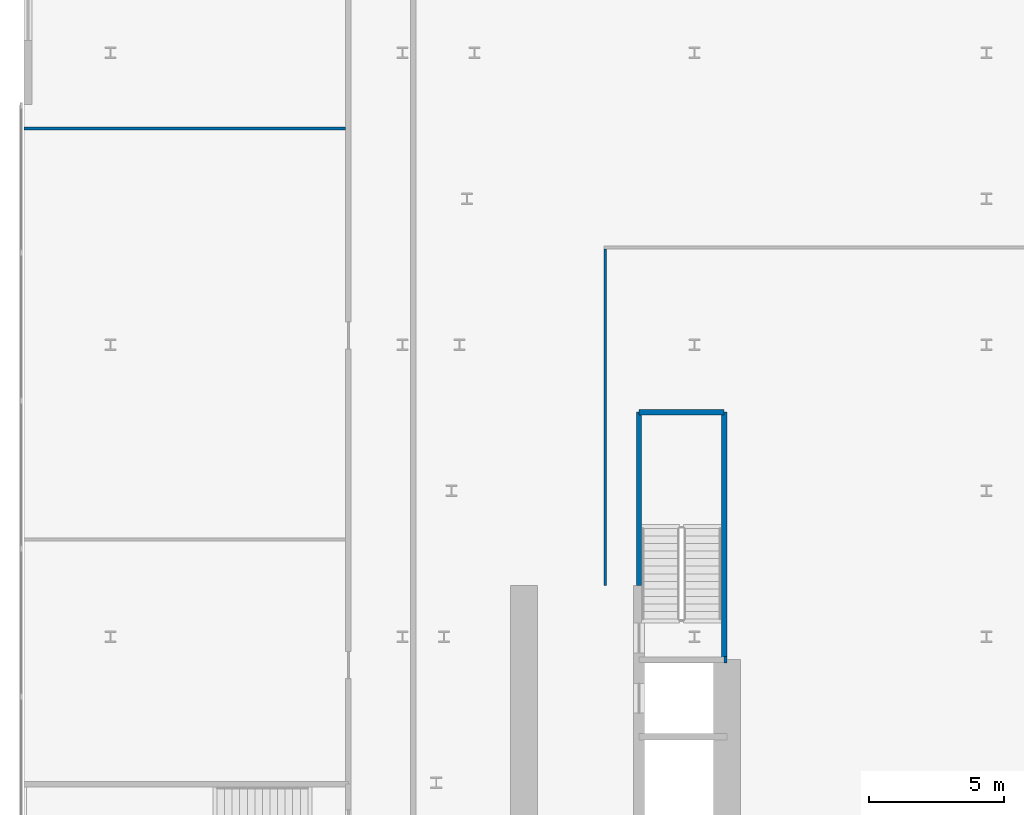
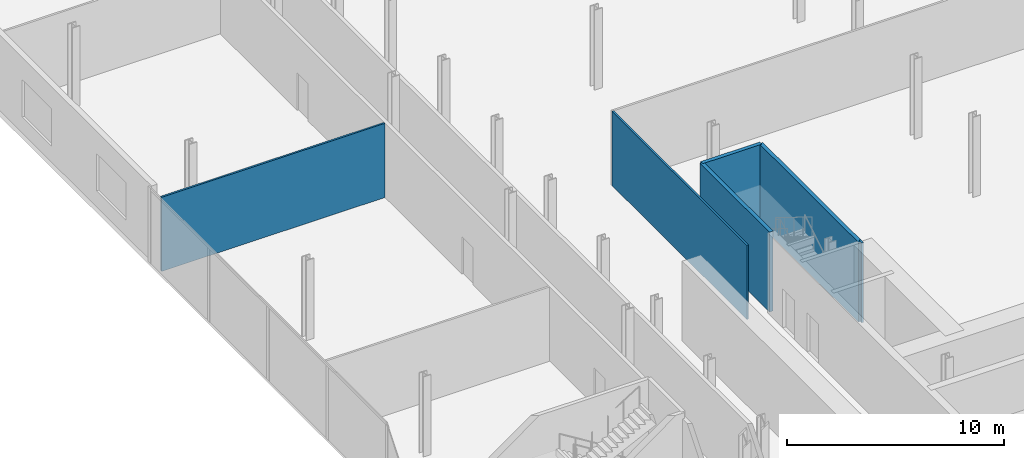
# One storey, part 30 of 47: 6 walls.
"""IFC4 building model written with IfcOpenShell, lengths in metres."""

from ifc_helpers import new_model, si_unit, direction, frame, frame_2d, origin, place, context, subcontext, project, spatial, rectangle, extrude, material, layer, layer_set, type_object, element, save


model = new_model("IFC4")

# Units and contexts
model_context = context("Model", 3, precision=1e-05, world=origin(), true_north=direction((0.0, 1.0)))
body_context = subcontext(model_context, "Body", "Model", "MODEL_VIEW")
ifc_project = project(units=[si_unit("LENGTHUNIT", "METRE"), si_unit("AREAUNIT", "SQUARE_METRE"), si_unit("VOLUMEUNIT", "CUBIC_METRE"), si_unit("PLANEANGLEUNIT", "RADIAN"), si_unit("MASSUNIT", "GRAM", prefix="KILO")], contexts=[model_context])

# Site, building, storey
site_placement = place(None, origin())
site = spatial("IfcSite", under=ifc_project, at=site_placement, CompositionType="ELEMENT")
building_placement = place(site_placement, origin())
building = spatial("IfcBuilding", under=site, at=building_placement, Name="Kheshtan School and Residences Tower", CompositionType="ELEMENT")
storey_placement = place(building_placement, frame((0.0, 0.0, 12.5)))
storey = spatial("IfcBuildingStorey", under=building, at=storey_placement, Name="L02", CompositionType="ELEMENT", Elevation=12.5)

# Walls
ifc_material_1 = material(Name="Gypsum board on steel studs", Category="steel")
ifc_layer_1 = layer(ifc_material_1, 0.10009765625)
ifc_layer_set_1 = layer_set([ifc_layer_1], Name="Gypsum partition 100")
wall_type_1 = type_object("IfcWallType", Name="Gypsum partition 100", PredefinedType="PARTITIONING", material=ifc_layer_set_1)
wall_1_placement = place(storey_placement, frame((12.0, 64.39990234375, 0.0), z_axis=(0.0, 0.0, 1.0), x_axis=(1.0, 0.0, 0.0)))
element("IfcWall", 1, at=wall_1_placement, inside=storey, type_object=wall_type_1, Name="Partition L02-005", PredefinedType="PARTITIONING", context=body_context, shape_type="SweptSolid", body=[
    extrude(rectangle(XDim=11.89990234375, YDim=0.10009765625, at=frame_2d((5.949951171875, 0.0))), origin(), (0.0, 0.0, 1.0), 4.179931640625),
])
wall_2_placement = place(storey_placement, frame((33.5, 47.5, 0.0), z_axis=(0.0, 0.0, 1.0), x_axis=(0.0, 1.0, 0.0)))
element("IfcWall", 2, at=wall_2_placement, inside=storey, type_object=wall_type_1, Name="Partition L02-016", PredefinedType="PARTITIONING", context=body_context, shape_type="SweptSolid", body=[
    extrude(rectangle(XDim=12.449951171875, YDim=0.10009765625, at=frame_2d((6.22509765625, 0.0))), origin(), (0.0, 0.0, 1.0), 4.179931640625),
])
ifc_material_2 = material(Name="Fire-board shaft wall system")
ifc_layer_2 = layer(ifc_material_2, 0.25)
ifc_layer_set_2 = layer_set([ifc_layer_2], Name="Shaft lining wall 250")
wall_type_2 = type_object("IfcWallType", Name="Shaft lining wall 250", PredefinedType="PARTITIONING", material=ifc_layer_set_2)
wall_3_placement = place(storey_placement, frame((37.89990234375, 44.75, 0.0), z_axis=(0.0, 0.0, 1.0), x_axis=(1.0, 0.0, 0.0)))
element("IfcWall", 3, at=wall_3_placement, inside=storey, type_object=wall_type_2, Name="Shaft lining wall", PredefinedType="PARTITIONING", context=body_context, shape_type="SweptSolid", body=[
    extrude(rectangle(XDim=0.10009765625, YDim=0.25, at=frame_2d((0.050048828125, 0.0))), origin(), (0.0, 0.0, 1.0), 4.5),
])
ifc_material_3 = material(Name="Concrete C40/50", Category="concrete")
ifc_layer_3 = layer(ifc_material_3, 0.199951171875)
ifc_layer_set_3 = layer_set([ifc_layer_3], Name="Stair enclosure wall 200 Concrete C40/50")
wall_type_3 = type_object("IfcWallType", Name="Stair enclosure wall 200 Concrete C40/50", PredefinedType="SHEAR", material=ifc_layer_set_3)
wall_4_placement = place(storey_placement, frame((34.75, 53.909912109375, 0.0), z_axis=(0.0, 0.0, 1.0), x_axis=(1.0, 0.0, 0.0)))
element("IfcWall", 4, at=wall_4_placement, inside=storey, type_object=wall_type_3, Name="Stair enclosure wall ST2", PredefinedType="SHEAR", context=body_context, shape_type="SweptSolid", body=[
    extrude(rectangle(XDim=3.14990234375, YDim=0.199951171875, at=frame_2d((1.574951171875, 0.0))), origin(), (0.0, 0.0, 1.0), 4.5),
])
wall_5_placement = place(storey_placement, frame((34.75, 47.5, 0.0), z_axis=(0.0, 0.0, 1.0), x_axis=(0.0, 1.0, 0.0)))
element("IfcWall", 5, at=wall_5_placement, inside=storey, type_object=wall_type_3, Name="Stair enclosure wall ST2", PredefinedType="SHEAR", context=body_context, shape_type="SweptSolid", body=[
    extrude(rectangle(XDim=6.409912109375, YDim=0.199951171875, at=frame_2d((3.205078125, 0.0))), origin(), (0.0, 0.0, 1.0), 4.5),
])
wall_6_placement = place(storey_placement, frame((37.89990234375, 44.75, 0.0), z_axis=(0.0, 0.0, 1.0), x_axis=(0.0, 1.0, 0.0)))
element("IfcWall", 6, at=wall_6_placement, inside=storey, type_object=wall_type_3, Name="Stair enclosure wall ST2", PredefinedType="SHEAR", context=body_context, shape_type="SweptSolid", body=[
    extrude(rectangle(XDim=9.159912109375, YDim=0.199951171875, at=frame_2d((4.580078125, 0.0))), origin(), (0.0, 0.0, 1.0), 4.5),
])

save(model, "model.ifc")
